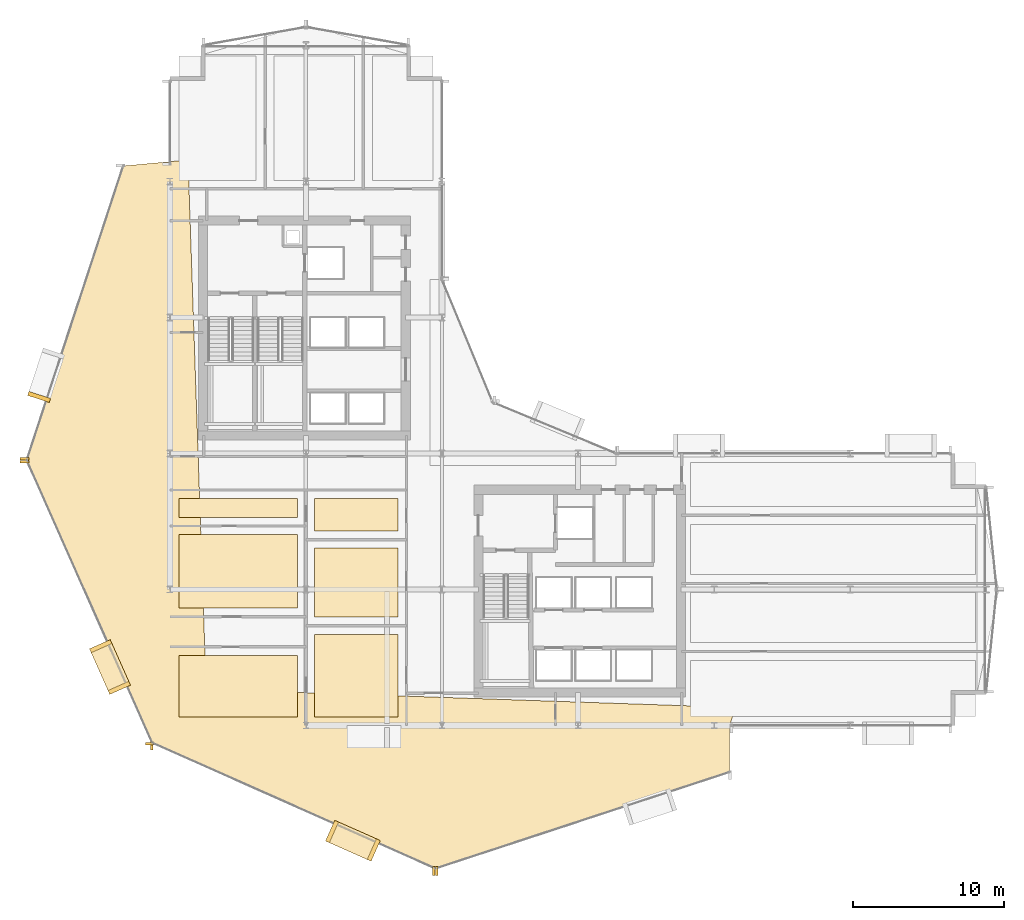
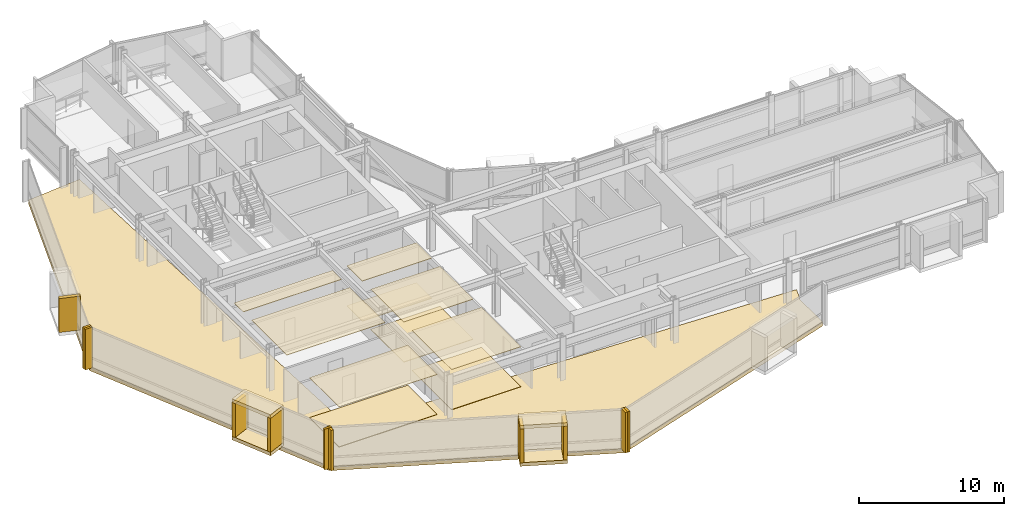
# One storey, part 30 of 34: 26 coverings.
"""IFC4 building model written with IfcOpenShell, lengths in metres."""

from ifc_helpers import new_model, si_unit, direction, frame, origin, origin_2d, place, context, subcontext, project, spatial, polyline, rectangle, outline, extrude, material, layer, layer_set, type_object, element, save


model = new_model("IFC4")

# Units and contexts
model_context = context("Model", 3, precision=1e-05, world=origin(), true_north=direction((0.0, 1.0)))
body_context = subcontext(model_context, "Body", "Model", "MODEL_VIEW")
ifc_project = project(units=[si_unit("LENGTHUNIT", "METRE"), si_unit("AREAUNIT", "SQUARE_METRE"), si_unit("VOLUMEUNIT", "CUBIC_METRE"), si_unit("PLANEANGLEUNIT", "RADIAN"), si_unit("MASSUNIT", "GRAM", prefix="KILO")], contexts=[model_context])

# Site, building, storey
site_placement = place(None, origin())
site = spatial("IfcSite", under=ifc_project, at=site_placement, CompositionType="ELEMENT")
building_placement = place(site_placement, origin())
building = spatial("IfcBuilding", under=site, at=building_placement, Name="Solvaryn Broadcast Tower", CompositionType="ELEMENT")
storey_placement = place(building_placement, frame((0.0, 0.0, 92.800048828125)))
storey = spatial("IfcBuildingStorey", under=building, at=storey_placement, Name="L22", CompositionType="ELEMENT", Elevation=92.800048828125)

# Coverings
ifc_material_1 = material(Name="Micro-Perforated Acoustic Gypsum Ceiling", Category="concrete")
ifc_layer_1 = layer(ifc_material_1, 0.0400390625)
ifc_layer_set_1 = layer_set([ifc_layer_1], Name="CV-CEIL-ACOUSTIC")
covering_type_1 = type_object("IfcCoveringType", Name="CV-CEIL-ACOUSTIC", PredefinedType="CEILING", material=ifc_layer_set_1)
covering_1_placement = place(storey_placement, frame((0.0, 0.0, 3.3798828125)))
element("IfcCovering", 1, at=covering_1_placement, inside=storey, type_object=covering_type_1, Name="L22 Room Acoustic Ceiling 1", PredefinedType="CEILING", context=body_context, shape_type="SweptSolid", body=[
    extrude(outline(polyline([(18.570068359375, 9.570068359375), (24.10009765625, 9.570068359375), (24.10009765625, 15.030029296875), (18.570068359375, 15.030029296875), (18.570068359375, 9.570068359375)])), origin(), (0.0, 0.0, 1.0), 0.0400390625),
])
covering_2_placement = place(storey_placement, frame((0.0, 0.0, 3.3798828125)))
element("IfcCovering", 2, at=covering_2_placement, inside=storey, type_object=covering_type_1, Name="L22 Room Acoustic Ceiling 2", PredefinedType="CEILING", context=body_context, shape_type="SweptSolid", body=[
    extrude(outline(polyline([(18.570068359375, 16.169921875), (24.10009765625, 16.169921875), (24.10009765625, 20.72998046875), (18.570068359375, 20.72998046875), (18.570068359375, 16.169921875)])), origin(), (0.0, 0.0, 1.0), 0.0400390625),
])
covering_3_placement = place(storey_placement, frame((0.0, 0.0, 3.3798828125)))
element("IfcCovering", 3, at=covering_3_placement, inside=storey, type_object=covering_type_1, Name="L22 Room Acoustic Ceiling 3", PredefinedType="CEILING", context=body_context, shape_type="SweptSolid", body=[
    extrude(outline(polyline([(18.570068359375, 21.8701171875), (24.10009765625, 21.8701171875), (24.10009765625, 24.010009765625), (18.570068359375, 24.010009765625), (18.570068359375, 21.8701171875)])), origin(), (0.0, 0.0, 1.0), 0.0400390625),
])
covering_4_placement = place(storey_placement, frame((0.0, 0.0, 3.3798828125)))
element("IfcCovering", 4, at=covering_4_placement, inside=storey, type_object=covering_type_1, Name="L22 Room Acoustic Ceiling 4", PredefinedType="CEILING", context=body_context, shape_type="SweptSolid", body=[
    extrude(outline(polyline([(9.60009765625, 9.570068359375), (17.429931640625, 9.570068359375), (17.429931640625, 13.6298828125), (9.60009765625, 13.6298828125), (9.60009765625, 9.570068359375)])), origin(), (0.0, 0.0, 1.0), 0.0400390625),
])
covering_5_placement = place(storey_placement, frame((0.0, 0.0, 3.3798828125)))
element("IfcCovering", 5, at=covering_5_placement, inside=storey, type_object=covering_type_1, Name="L22 Room Acoustic Ceiling 5", PredefinedType="CEILING", context=body_context, shape_type="SweptSolid", body=[
    extrude(outline(polyline([(9.60009765625, 16.77001953125), (17.429931640625, 16.77001953125), (17.429931640625, 21.6298828125), (9.60009765625, 21.6298828125), (9.60009765625, 16.77001953125)])), origin(), (0.0, 0.0, 1.0), 0.0400390625),
])
covering_6_placement = place(storey_placement, frame((0.0, 0.0, 3.3798828125)))
element("IfcCovering", 6, at=covering_6_placement, inside=storey, type_object=covering_type_1, Name="L22 Room Acoustic Ceiling 6", PredefinedType="CEILING", context=body_context, shape_type="SweptSolid", body=[
    extrude(outline(polyline([(9.60009765625, 22.77001953125), (17.429931640625, 22.77001953125), (17.429931640625, 24.010009765625), (9.60009765625, 24.010009765625), (9.60009765625, 22.77001953125)])), origin(), (0.0, 0.0, 1.0), 0.0400390625),
])
ifc_material_2 = material(Name="Newsroom Raised Data Access Flooring", Category="steel")
ifc_layer_2 = layer(ifc_material_2, 0.050048828125)
ifc_layer_set_2 = layer_set([ifc_layer_2], Name="CV-FLOOR-RAISED")
covering_type_2 = type_object("IfcCoveringType", Name="CV-FLOOR-RAISED", PredefinedType="FLOORING", material=ifc_layer_set_2)
covering_7_placement = place(storey_placement, origin())
element("IfcCovering", 7, at=covering_7_placement, inside=storey, type_object=covering_type_2, Name="L22 Room Acoustic Floor Finish 1", PredefinedType="FLOORING", context=body_context, shape_type="SweptSolid", body=[
    extrude(outline(polyline([(18.570068359375, 9.570068359375), (24.10009765625, 9.570068359375), (24.10009765625, 15.030029296875), (18.570068359375, 15.030029296875), (18.570068359375, 9.570068359375)])), origin(), (0.0, 0.0, 1.0), 0.050048828125),
])
covering_8_placement = place(storey_placement, origin())
element("IfcCovering", 8, at=covering_8_placement, inside=storey, type_object=covering_type_2, Name="L22 Room Acoustic Floor Finish 2", PredefinedType="FLOORING", context=body_context, shape_type="SweptSolid", body=[
    extrude(outline(polyline([(18.570068359375, 16.169921875), (24.10009765625, 16.169921875), (24.10009765625, 20.72998046875), (18.570068359375, 20.72998046875), (18.570068359375, 16.169921875)])), origin(), (0.0, 0.0, 1.0), 0.050048828125),
])
covering_9_placement = place(storey_placement, origin())
element("IfcCovering", 9, at=covering_9_placement, inside=storey, type_object=covering_type_2, Name="L22 Room Acoustic Floor Finish 3", PredefinedType="FLOORING", context=body_context, shape_type="SweptSolid", body=[
    extrude(outline(polyline([(18.570068359375, 21.8701171875), (24.10009765625, 21.8701171875), (24.10009765625, 24.010009765625), (18.570068359375, 24.010009765625), (18.570068359375, 21.8701171875)])), origin(), (0.0, 0.0, 1.0), 0.050048828125),
])
covering_10_placement = place(storey_placement, origin())
element("IfcCovering", 10, at=covering_10_placement, inside=storey, type_object=covering_type_2, Name="L22 Room Acoustic Floor Finish 4", PredefinedType="FLOORING", context=body_context, shape_type="SweptSolid", body=[
    extrude(outline(polyline([(9.60009765625, 9.570068359375), (17.429931640625, 9.570068359375), (17.429931640625, 13.6298828125), (9.60009765625, 13.6298828125), (9.60009765625, 9.570068359375)])), origin(), (0.0, 0.0, 1.0), 0.050048828125),
])
ifc_material_3 = material(Name="Glazed Architectural Terracotta Rainscreen Cladding", Category="masonry")
ifc_layer_3 = layer(ifc_material_3, 0.280029296875)
ifc_layer_set_3 = layer_set([ifc_layer_3], Name="CV-TC-CLAD")
covering_type_3 = type_object("IfcCoveringType", Name="CV-TC-CLAD", PredefinedType="CLADDING", material=ifc_layer_set_3)
covering_11_placement = place(storey_placement, frame((0.348388671875, 30.73828125, 0.27978515625), z_axis=(0.0, 0.0, 1.0), x_axis=(-0.311671636848, -0.950189870912, 0.0)))
element("IfcCovering", 11, at=covering_11_placement, inside=storey, type_object=covering_type_3, Name="L22 Projecting Stone Window Box Cheek 1-2", PredefinedType="CLADDING", context=body_context, shape_type="SweptSolid", body=[
    extrude(rectangle(XDim=0.280029296875, YDim=1.5, at=origin_2d()), origin(), (0.0, 0.0, 1.0), 2.860107421875),
])
for number, where, z_axis, x_axis, name in (
    (12, (5.035888671875, 12.8720703125, 3.1298828125), (0.0, 0.0, 1.0), (0.405939269498, -0.913900054426, 0.0), "L22 Projecting Stone Window Box Hood 2"),
    (13, (5.035888671875, 12.8720703125, -0.01025390625), (0.0, 0.0, 1.0), (0.405939269498, -0.913900054426, 0.0), "L22 Projecting Stone Window Box Sill 2"),
):
    element("IfcCovering", number, at=place(storey_placement, frame(where, z_axis=z_axis, x_axis=x_axis)), inside=storey, type_object=covering_type_3, Name=name, PredefinedType="CLADDING", context=body_context, shape_type="SweptSolid", body=[
        extrude(rectangle(XDim=3.300048828125, YDim=1.5, at=origin_2d()), origin(), (0.0, 0.0, 1.0), 0.300048828125),
    ])
for number, where, z_axis, x_axis, name in (
    (14, (4.423095703125, 14.251953125, 0.27978515625), (0.0, 0.0, 1.0), (0.405939269498, -0.913900054426, 0.0), "L22 Projecting Stone Window Box Cheek 2-1"),
    (15, (5.64892578125, 11.491943359375, 0.27978515625), (0.0, 0.0, 1.0), (0.405939269498, -0.913900054426, 0.0), "L22 Projecting Stone Window Box Cheek 2-2"),
):
    element("IfcCovering", number, at=place(storey_placement, frame(where, z_axis=z_axis, x_axis=x_axis)), inside=storey, type_object=covering_type_3, Name=name, PredefinedType="CLADDING", context=body_context, shape_type="SweptSolid", body=[
        extrude(rectangle(XDim=0.280029296875, YDim=1.5, at=origin_2d()), origin(), (0.0, 0.0, 1.0), 2.860107421875),
    ])
for number, where, z_axis, x_axis, name in (
    (16, (21.10498046875, 1.37890625, 3.1298828125), (0.0, 0.0, 1.0), (0.913900054426, -0.405939269498, 0.0), "L22 Projecting Stone Window Box Hood 3"),
    (17, (21.10498046875, 1.37890625, -0.01025390625), (0.0, 0.0, 1.0), (0.913900054426, -0.405939269498, 0.0), "L22 Projecting Stone Window Box Sill 3"),
):
    element("IfcCovering", number, at=place(storey_placement, frame(where, z_axis=z_axis, x_axis=x_axis)), inside=storey, type_object=covering_type_3, Name=name, PredefinedType="CLADDING", context=body_context, shape_type="SweptSolid", body=[
        extrude(rectangle(XDim=3.300048828125, YDim=1.5, at=origin_2d()), origin(), (0.0, 0.0, 1.0), 0.300048828125),
    ])
for number, where, z_axis, x_axis, name in (
    (18, (19.72509765625, 1.991943359375, 0.27978515625), (0.0, 0.0, 1.0), (0.913900054426, -0.405939269498, 0.0), "L22 Projecting Stone Window Box Cheek 3-1"),
    (19, (22.485107421875, 0.76611328125, 0.27978515625), (0.0, 0.0, 1.0), (0.913900054426, -0.405939269498, 0.0), "L22 Projecting Stone Window Box Cheek 3-2"),
):
    element("IfcCovering", number, at=place(storey_placement, frame(where, z_axis=z_axis, x_axis=x_axis)), inside=storey, type_object=covering_type_3, Name=name, PredefinedType="CLADDING", context=body_context, shape_type="SweptSolid", body=[
        extrude(rectangle(XDim=0.280029296875, YDim=1.5, at=origin_2d()), origin(), (0.0, 0.0, 1.0), 2.860107421875),
    ])
ifc_material_4 = material(Name="Extruded Architectural Terracotta Fin", Category="masonry")
ifc_layer_4 = layer(ifc_material_4, 0.179931640625)
ifc_layer_set_4 = layer_set([ifc_layer_4], Name="CV-TC-FIN")
covering_type_4 = type_object("IfcCoveringType", Name="CV-TC-FIN", PredefinedType="USERDEFINED", material=ifc_layer_set_4)
for number, where, z_axis, x_axis, name in (
    (20, (-0.625732421875, 26.644775390625, 0.0), (0.0, 0.0, 1.0), (1.0, 0.0, 0.0), "L22 Terracotta Vertical Fin FIN-L22-DR1-M01"),
    (21, (-0.6162109375, 26.459716796875, 0.0), (0.0, 0.0, 1.0), (1.0, 0.0, 0.0), "L22 Terracotta Vertical Fin FIN-L22-DR2-M00"),
    (22, (7.670654296875, 7.8017578125, 0.0), (0.0, 0.0, 1.0), (1.0, 0.0, 0.0), "L22 Terracotta Vertical Fin FIN-L22-DR2-M01"),
):
    element("IfcCovering", number, at=place(storey_placement, frame(where, z_axis=z_axis, x_axis=x_axis)), inside=storey, type_object=covering_type_4, Name=name, ObjectType="FIN", PredefinedType="USERDEFINED", context=body_context, shape_type="SweptSolid", body=[
        extrude(rectangle(XDim=0.580078125, YDim=0.179931640625, at=origin_2d()), origin(), (0.0, 0.0, 1.0), 3.419921875),
    ])
for number, where, z_axis, x_axis, name in (
    (23, (7.8017578125, 7.670654296875, 0.0), (0.0, 0.0, 1.0), (1.0, 0.0, 0.0), "L22 Terracotta Vertical Fin FIN-L22-DR3-M00"),
    (24, (26.459716796875, -0.6162109375, 0.0), (0.0, 0.0, 1.0), (1.0, 0.0, 0.0), "L22 Terracotta Vertical Fin FIN-L22-DR3-M01"),
    (25, (26.644775390625, -0.625732421875, 0.0), (0.0, 0.0, 1.0), (1.0, 0.0, 0.0), "L22 Terracotta Vertical Fin FIN-L22-DR4-M00"),
):
    element("IfcCovering", number, at=place(storey_placement, frame(where, z_axis=z_axis, x_axis=x_axis)), inside=storey, type_object=covering_type_4, Name=name, ObjectType="FIN", PredefinedType="USERDEFINED", context=body_context, shape_type="SweptSolid", body=[
        extrude(rectangle(XDim=0.179931640625, YDim=0.580078125, at=origin_2d()), origin(), (0.0, 0.0, 1.0), 3.419921875),
    ])
ifc_material_5 = material(Name="Sculpted Architectural Terracotta Wave Fascia", Category="masonry")
ifc_layer_5 = layer(ifc_material_5, 0.340087890625)
ifc_layer_set_5 = layer_set([ifc_layer_5], Name="CV-WAVE-TRAY")
covering_type_5 = type_object("IfcCoveringType", Name="CV-WAVE-TRAY", PredefinedType="CLADDING", material=ifc_layer_set_5)
covering_12_placement = place(storey_placement, frame((0.0, 0.0, -0.300048828125)))
element("IfcCovering", 26, at=covering_12_placement, inside=storey, type_object=covering_type_5, Name="L22 Stepped Cylindrical Drum Floor Apron", PredefinedType="CLADDING", context=body_context, shape_type="SweptSolid", body=[
    extrude(outline(polyline([(10.199951171875, 46.416015625), (5.916015625, 46.01611328125), (-0.464111328125, 26.56005859375), (7.846923828125, 7.846923828125), (26.56005859375, -0.464111328125), (46.01611328125, 5.916015625), (46.01611328125, 9.0), (46.416015625, 10.199951171875), (11.39990234375, 11.39990234375), (10.199951171875, 46.416015625)])), origin(), (0.0, 0.0, 1.0), 0.330078125),
])

save(model, "model.ifc")
